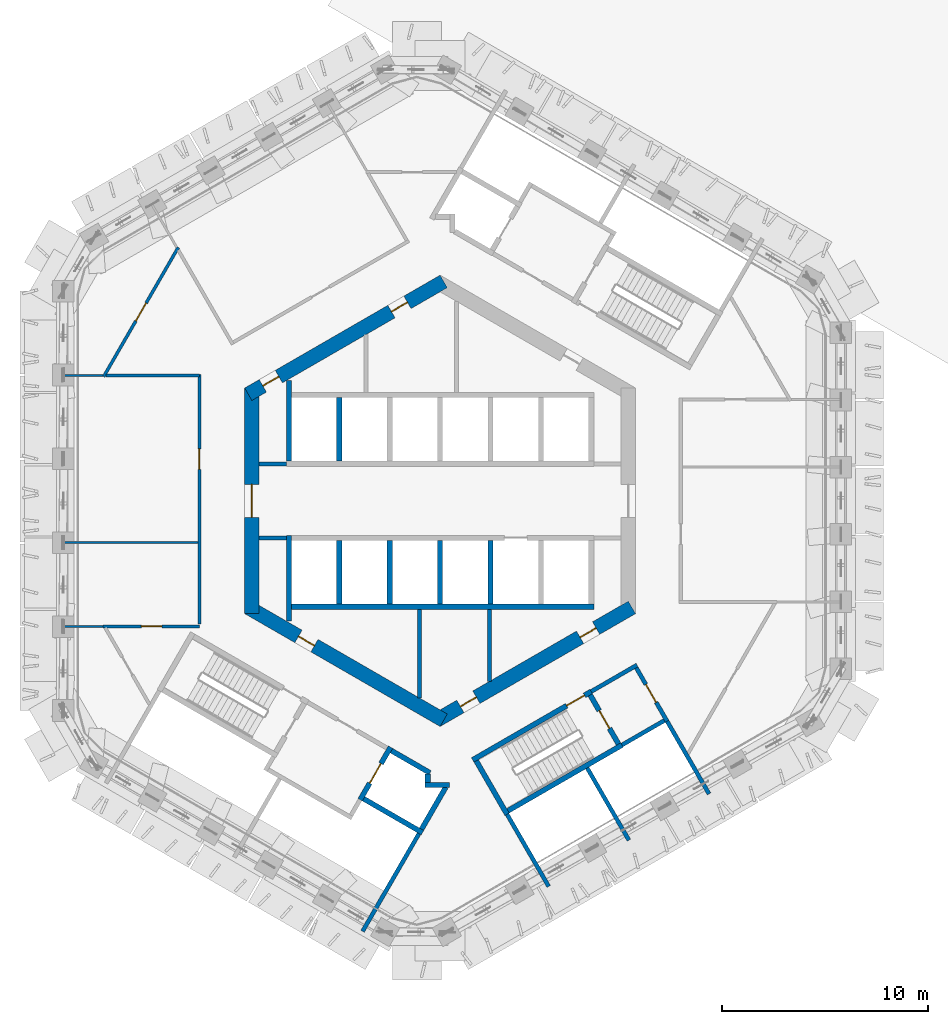
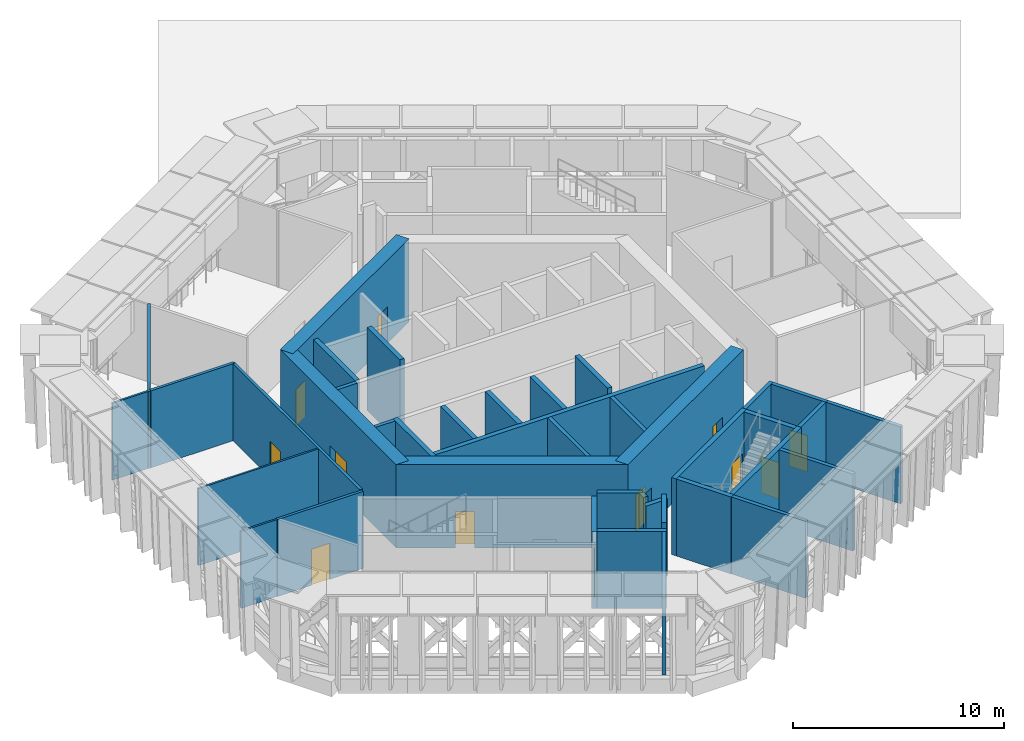
# One storey, part 7 of 18: 40 walls, 13 doors, 13 openings.
"""IFC4 building model written with IfcOpenShell, lengths in metres."""

from ifc_helpers import new_model, si_unit, direction, frame, frame_2d, origin, place, context, subcontext, project, spatial, rectangle, extrude, material, layer, layer_set, type_object, element, fill, save


model = new_model("IFC4")

# Units and contexts
model_context = context("Model", 3, precision=1e-05, world=origin(), true_north=direction((0.0, 1.0)))
body_context = subcontext(model_context, "Body", "Model", "MODEL_VIEW")
ifc_project = project(units=[si_unit("LENGTHUNIT", "METRE"), si_unit("AREAUNIT", "SQUARE_METRE"), si_unit("VOLUMEUNIT", "CUBIC_METRE"), si_unit("PLANEANGLEUNIT", "RADIAN"), si_unit("MASSUNIT", "GRAM", prefix="KILO")], contexts=[model_context])

# Site, building, storey
site_placement = place(None, origin())
site = spatial("IfcSite", under=ifc_project, at=site_placement, CompositionType="ELEMENT")
building_placement = place(site_placement, origin())
building = spatial("IfcBuilding", under=site, at=building_placement, Name="Ayvan Gate Tower", CompositionType="ELEMENT")
storey_placement = place(building_placement, frame((0.0, 0.0, 147.89990234375)))
storey = spatial("IfcBuildingStorey", under=building, at=storey_placement, Name="L39", CompositionType="ELEMENT", Elevation=147.89990234375)

# Wall, openings, doors
ifc_material_1 = material(Name="Concrete C70/85", Category="concrete")
ifc_layer_1 = layer(ifc_material_1, 0.699951171875)
ifc_layer_set_1 = layer_set([ifc_layer_1], Name="Concrete C70/85")
wall_type_1 = type_object("IfcWallType", Name="Core wall 700 C70/85", PredefinedType="SHEAR", material=ifc_layer_set_1)
wall_1_placement = place(storey_placement, frame((0.175048828125, 10.66650390625, 0.0), z_axis=(0.0, 0.0, 1.0), x_axis=(-0.866023993627, -0.500002442456, 0.0)))
wall_1 = element("IfcWall", 1, at=wall_1_placement, inside=storey, type_object=wall_type_1, Name="CORE-L39-2", PredefinedType="SHEAR", context=body_context, shape_type="SweptSolid", body=[
    extrude(rectangle(XDim=10.9697265625, YDim=0.699951171875, at=frame_2d((5.48486328125, 0.0))), origin(), (0.0, 0.0, 1.0), 4.800048828125),
])
opening_1_placement = place(wall_1_placement, frame((9.253662109375, 0.0, 0.0)))
opening_1 = element("IfcOpeningElement", 2, at=opening_1_placement, cuts=wall_1, Name="Opening L39-D23", PredefinedType="OPENING", context=body_context, shape_type="SweptSolid", body=[
    extrude(rectangle(XDim=0.89990234375, YDim=2.10009765625, at=frame_2d((0.449951171875, 1.050048828125))), frame((0.0, 0.35986328125, 0.0), z_axis=(0.0, -1.0, 0.0), x_axis=(1.0, 0.0, 0.0)), (0.0, 0.0, 1.0), 0.719970703125),
])
opening_2_placement = place(wall_1_placement, frame((2.033203125, 0.0, 0.0)))
opening_2 = element("IfcOpeningElement", 3, at=opening_2_placement, cuts=wall_1, Name="Opening L39-D24", PredefinedType="OPENING", context=body_context, shape_type="SweptSolid", body=[
    extrude(rectangle(XDim=0.89990234375, YDim=2.10009765625, at=frame_2d((0.449951171875, 1.050048828125))), frame((0.0, 0.35986328125, 0.0), z_axis=(0.0, -1.0, 0.0), x_axis=(1.0, 0.0, 0.0)), (0.0, 0.0, 1.0), 0.719970703125),
])
ifc_material_2 = material(Name="Timber door leaf", Category="wood")
door_type_1 = type_object("IfcDoorType", Name="DT-900", OperationType="NOTDEFINED", PredefinedType="DOOR", material=ifc_material_2)
door_1_placement = place(opening_1_placement, origin())
door_1 = element("IfcDoor", 4, at=door_1_placement, inside=storey, type_object=door_type_1, Name="CD-L39-23", OperationType="SINGLE_SWING_RIGHT", OverallHeight=2.10009765625, OverallWidth=0.89990234375, PredefinedType="DOOR", context=body_context, shape_type="SweptSolid", body=[
    extrude(rectangle(XDim=0.89990234375, YDim=2.10009765625, at=frame_2d((0.449951171875, 1.050048828125))), frame((0.0, 0.02490234375, 0.0), z_axis=(0.0, -1.0, 0.0), x_axis=(1.0, 0.0, 0.0)), (0.0, 0.0, 1.0), 0.050048828125),
])
fill(opening_1, door_1)
door_2_placement = place(opening_2_placement, origin())
door_2 = element("IfcDoor", 5, at=door_2_placement, inside=storey, type_object=door_type_1, Name="CD-L39-24", OperationType="SINGLE_SWING_LEFT", OverallHeight=2.10009765625, OverallWidth=0.89990234375, PredefinedType="DOOR", context=body_context, shape_type="SweptSolid", body=[
    extrude(rectangle(XDim=0.89990234375, YDim=2.10009765625, at=frame_2d((0.449951171875, 1.050048828125))), frame((0.0, 0.02490234375, 0.0), z_axis=(0.0, -1.0, 0.0), x_axis=(1.0, 0.0, 0.0)), (0.0, 0.0, 1.0), 0.050048828125),
])
fill(opening_2, door_2)

# Wall, opening, door
wall_2_placement = place(storey_placement, frame((-9.14990234375, 5.48486328125, 0.0), z_axis=(0.0, 0.0, 1.0), x_axis=(0.0, -1.0, 0.0)))
wall_2 = element("IfcWall", 6, at=wall_2_placement, inside=storey, type_object=wall_type_1, Name="CORE-L39-3", PredefinedType="SHEAR", context=body_context, shape_type="SweptSolid", body=[
    extrude(rectangle(XDim=10.9697265625, YDim=0.699951171875, at=frame_2d((5.48486328125, 0.0))), origin(), (0.0, 0.0, 1.0), 4.800048828125),
])
opening_3_placement = place(wall_2_placement, frame((4.684814453125, 0.0, 0.0)))
opening_3 = element("IfcOpeningElement", 7, at=opening_3_placement, cuts=wall_2, Name="Opening L39-D30", PredefinedType="OPENING", context=body_context, shape_type="SweptSolid", body=[
    extrude(rectangle(XDim=1.60009765625, YDim=2.10009765625, at=frame_2d((0.800048828125, 1.050048828125))), frame((0.0, 0.35986328125, 0.0), z_axis=(0.0, -1.0, 0.0), x_axis=(1.0, 0.0, 0.0)), (0.0, 0.0, 1.0), 0.719970703125),
])
door_type_2 = type_object("IfcDoorType", Name="DT-1600", OperationType="NOTDEFINED", PredefinedType="DOOR", material=ifc_material_2)
door_3_placement = place(opening_3_placement, origin())
door_3 = element("IfcDoor", 8, at=door_3_placement, inside=storey, type_object=door_type_2, Name="CD-L39-30", OperationType="SINGLE_SWING_LEFT", OverallHeight=2.10009765625, OverallWidth=1.60009765625, PredefinedType="DOOR", context=body_context, shape_type="SweptSolid", body=[
    extrude(rectangle(XDim=1.60009765625, YDim=2.10009765625, at=frame_2d((0.800048828125, 1.050048828125))), frame((0.0, 0.02490234375, 0.0), z_axis=(0.0, -1.0, 0.0), x_axis=(1.0, 0.0, 0.0)), (0.0, 0.0, 1.0), 0.050048828125),
])
fill(opening_3, door_3)

wall_3_placement = place(storey_placement, frame((-9.324951171875, -5.181640625, 0.0), z_axis=(0.0, 0.0, 1.0), x_axis=(0.866023993627, -0.500002442456, 0.0)))
wall_3 = element("IfcWall", 9, at=wall_3_placement, inside=storey, type_object=wall_type_1, Name="CORE-L39-4", PredefinedType="SHEAR", context=body_context, shape_type="SweptSolid", body=[
    extrude(rectangle(XDim=10.9697265625, YDim=0.699951171875, at=frame_2d((5.48486328125, 0.0))), origin(), (0.0, 0.0, 1.0), 4.800048828125),
])
opening_4_placement = place(wall_3_placement, frame((2.816650390625, 0.0, 0.0)))
opening_4 = element("IfcOpeningElement", 10, at=opening_4_placement, cuts=wall_3, Name="Opening L39-D26", PredefinedType="OPENING", context=body_context, shape_type="SweptSolid", body=[
    extrude(rectangle(XDim=0.89990234375, YDim=2.10009765625, at=frame_2d((0.449951171875, 1.050048828125))), frame((0.0, 0.35986328125, 0.0), z_axis=(0.0, -1.0, 0.0), x_axis=(1.0, 0.0, 0.0)), (0.0, 0.0, 1.0), 0.719970703125),
])
door_4_placement = place(opening_4_placement, origin())
door_4 = element("IfcDoor", 11, at=door_4_placement, inside=storey, type_object=door_type_1, Name="CD-L39-26", OperationType="SINGLE_SWING_LEFT", OverallHeight=2.10009765625, OverallWidth=0.89990234375, PredefinedType="DOOR", context=body_context, shape_type="SweptSolid", body=[
    extrude(rectangle(XDim=0.89990234375, YDim=2.10009765625, at=frame_2d((0.449951171875, 1.050048828125))), frame((0.0, 0.02490234375, 0.0), z_axis=(0.0, -1.0, 0.0), x_axis=(1.0, 0.0, 0.0)), (0.0, 0.0, 1.0), 0.050048828125),
])
fill(opening_4, door_4)

# Wall, openings, doors
wall_4_placement = place(storey_placement, frame((-0.175048828125, -10.66650390625, 0.0), z_axis=(0.0, 0.0, 1.0), x_axis=(0.866023993627, 0.500002442456, 0.0)))
wall_4 = element("IfcWall", 12, at=wall_4_placement, inside=storey, type_object=wall_type_1, Name="CORE-L39-5", PredefinedType="SHEAR", context=body_context, shape_type="SweptSolid", body=[
    extrude(rectangle(XDim=10.9697265625, YDim=0.699951171875, at=frame_2d((5.48486328125, 0.0))), origin(), (0.0, 0.0, 1.0), 4.800048828125),
])
opening_5_placement = place(wall_4_placement, frame((1.34033203125, 0.0, 0.0)))
opening_5 = element("IfcOpeningElement", 13, at=opening_5_placement, cuts=wall_4, Name="Opening L39-D27", PredefinedType="OPENING", context=body_context, shape_type="SweptSolid", body=[
    extrude(rectangle(XDim=0.89990234375, YDim=2.10009765625, at=frame_2d((0.449951171875, 1.050048828125))), frame((0.0, 0.35986328125, 0.0), z_axis=(0.0, -1.0, 0.0), x_axis=(1.0, 0.0, 0.0)), (0.0, 0.0, 1.0), 0.719970703125),
])
opening_6_placement = place(wall_4_placement, frame((8.060791015625, 0.0, 0.0)))
opening_6 = element("IfcOpeningElement", 14, at=opening_6_placement, cuts=wall_4, Name="Opening L39-D28", PredefinedType="OPENING", context=body_context, shape_type="SweptSolid", body=[
    extrude(rectangle(XDim=0.89990234375, YDim=2.10009765625, at=frame_2d((0.449951171875, 1.050048828125))), frame((0.0, 0.35986328125, 0.0), z_axis=(0.0, -1.0, 0.0), x_axis=(1.0, 0.0, 0.0)), (0.0, 0.0, 1.0), 0.719970703125),
])
door_5_placement = place(opening_5_placement, origin())
door_5 = element("IfcDoor", 15, at=door_5_placement, inside=storey, type_object=door_type_1, Name="CD-L39-27", OperationType="SINGLE_SWING_RIGHT", OverallHeight=2.10009765625, OverallWidth=0.89990234375, PredefinedType="DOOR", context=body_context, shape_type="SweptSolid", body=[
    extrude(rectangle(XDim=0.89990234375, YDim=2.10009765625, at=frame_2d((0.449951171875, 1.050048828125))), frame((0.0, 0.02490234375, 0.0), z_axis=(0.0, -1.0, 0.0), x_axis=(1.0, 0.0, 0.0)), (0.0, 0.0, 1.0), 0.050048828125),
])
fill(opening_5, door_5)
door_6_placement = place(opening_6_placement, origin())
door_6 = element("IfcDoor", 16, at=door_6_placement, inside=storey, type_object=door_type_1, Name="CD-L39-28", OperationType="SINGLE_SWING_LEFT", OverallHeight=2.10009765625, OverallWidth=0.89990234375, PredefinedType="DOOR", context=body_context, shape_type="SweptSolid", body=[
    extrude(rectangle(XDim=0.89990234375, YDim=2.10009765625, at=frame_2d((0.449951171875, 1.050048828125))), frame((0.0, 0.02490234375, 0.0), z_axis=(0.0, -1.0, 0.0), x_axis=(1.0, 0.0, 0.0)), (0.0, 0.0, 1.0), 0.050048828125),
])
fill(opening_6, door_6)

# Wall, opening, door
ifc_material_3 = material(Name="Plasterboard on steel stud", Category="steel")
ifc_layer_2 = layer(ifc_material_3, 0.14990234375)
ifc_layer_set_2 = layer_set([ifc_layer_2], Name="Plasterboard on steel stud")
wall_type_2 = type_object("IfcWallType", Name="WT-CORR-150", PredefinedType="PARTITIONING", material=ifc_layer_set_2)
wall_5_placement = place(storey_placement, frame((-16.355224609375, 6.03759765625, 0.0), z_axis=(0.0, 0.0, 1.0), x_axis=(0.499982673273, 0.866035407144, 0.0)))
wall_5 = element("IfcWall", 17, at=wall_5_placement, inside=storey, type_object=wall_type_2, Name="IW-L39-002", PredefinedType="PARTITIONING", context=body_context, shape_type="SweptSolid", body=[
    extrude(rectangle(XDim=7.255126953125, YDim=0.14990234375, at=frame_2d((3.62744140625, 0.0))), origin(), (0.0, 0.0, 1.0), 4.4501953125),
])
opening_7_placement = place(wall_5_placement, frame((3.12744140625, 0.0, 0.0)))
opening_7 = element("IfcOpeningElement", 18, at=opening_7_placement, cuts=wall_5, Name="Opening L39-D19", PredefinedType="OPENING", context=body_context, shape_type="SweptSolid", body=[
    extrude(rectangle(XDim=1.0, YDim=2.10009765625, at=frame_2d((0.5, 1.050048828125))), frame((0.0, 0.0849609375, 0.0), z_axis=(0.0, -1.0, 0.0), x_axis=(1.0, 0.0, 0.0)), (0.0, 0.0, 1.0), 0.169921875),
])
door_type_3 = type_object("IfcDoorType", Name="DT-1000", OperationType="NOTDEFINED", PredefinedType="DOOR", material=ifc_material_2)
door_7_placement = place(opening_7_placement, origin())
door_7 = element("IfcDoor", 19, at=door_7_placement, inside=storey, type_object=door_type_3, Name="ID-L39-019", OperationType="SINGLE_SWING_RIGHT", OverallHeight=2.10009765625, OverallWidth=1.0, PredefinedType="DOOR", context=body_context, shape_type="SweptSolid", body=[
    extrude(rectangle(XDim=1.0, YDim=2.10009765625, at=frame_2d((0.5, 1.050048828125))), frame((0.0, 0.02490234375, 0.0), z_axis=(0.0, -1.0, 0.0), x_axis=(1.0, 0.0, 0.0)), (0.0, 0.0, 1.0), 0.050048828125),
])
fill(opening_7, door_7)

wall_6_placement = place(storey_placement, frame((-16.392578125, -6.1025390625, 0.0), z_axis=(0.0, 0.0, 1.0), x_axis=(1.0, 0.0, 0.0)))
wall_6 = element("IfcWall", 20, at=wall_6_placement, inside=storey, type_object=wall_type_2, Name="IW-L39-003", PredefinedType="PARTITIONING", context=body_context, shape_type="SweptSolid", body=[
    extrude(rectangle(XDim=4.697509765625, YDim=0.14990234375, at=frame_2d((2.3486328125, 0.0))), origin(), (0.0, 0.0, 1.0), 4.4501953125),
])
opening_8_placement = place(wall_6_placement, frame((1.8662109375, 0.0, 0.0)))
opening_8 = element("IfcOpeningElement", 21, at=opening_8_placement, cuts=wall_6, Name="Opening L39-D22", PredefinedType="OPENING", context=body_context, shape_type="SweptSolid", body=[
    extrude(rectangle(XDim=1.0, YDim=2.10009765625, at=frame_2d((0.5, 1.050048828125))), frame((0.0, 0.0849609375, 0.0), z_axis=(0.0, -1.0, 0.0), x_axis=(1.0, 0.0, 0.0)), (0.0, 0.0, 1.0), 0.169921875),
])
door_8_placement = place(opening_8_placement, origin())
door_8 = element("IfcDoor", 22, at=door_8_placement, inside=storey, type_object=door_type_3, Name="ID-L39-022", OperationType="SINGLE_SWING_LEFT", OverallHeight=2.10009765625, OverallWidth=1.0, PredefinedType="DOOR", context=body_context, shape_type="SweptSolid", body=[
    extrude(rectangle(XDim=1.0, YDim=2.10009765625, at=frame_2d((0.5, 1.050048828125))), frame((0.0, 0.02490234375, 0.0), z_axis=(0.0, -1.0, 0.0), x_axis=(1.0, 0.0, 0.0)), (0.0, 0.0, 1.0), 0.050048828125),
])
fill(opening_8, door_8)

# Wall
wall_7_placement = place(storey_placement, frame((-11.695068359375, 6.1025390625, 0.0), z_axis=(0.0, 0.0, 1.0), x_axis=(-1.0, 0.0, 0.0)))
element("IfcWall", 23, at=wall_7_placement, inside=storey, type_object=wall_type_2, Name="IW-L39-010", PredefinedType="PARTITIONING", context=body_context, shape_type="SweptSolid", body=[
    extrude(rectangle(XDim=4.547607421875, YDim=0.14990234375, at=frame_2d((2.27392578125, 0.0))), origin(), (0.0, 0.0, 1.0), 4.4501953125),
])

# Wall, opening, door
wall_8_placement = place(storey_placement, frame((-11.699951171875, 6.13720703125, 0.0), z_axis=(0.0, 0.0, 1.0), x_axis=(0.0, -1.0, 0.0)))
wall_8 = element("IfcWall", 24, at=wall_8_placement, inside=storey, type_object=wall_type_2, Name="IW-L39-012", PredefinedType="PARTITIONING", context=body_context, shape_type="SweptSolid", body=[
    extrude(rectangle(XDim=12.12451171875, YDim=0.14990234375, at=frame_2d((6.062255859375, 0.0))), origin(), (0.0, 0.0, 1.0), 4.4501953125),
])
opening_9_placement = place(wall_8_placement, frame((3.608154296875, 0.0, 0.0)))
opening_9 = element("IfcOpeningElement", 25, at=opening_9_placement, cuts=wall_8, Name="Opening L39-D21", PredefinedType="OPENING", context=body_context, shape_type="SweptSolid", body=[
    extrude(rectangle(XDim=1.0, YDim=2.10009765625, at=frame_2d((0.5, 1.050048828125))), frame((0.0, 0.0849609375, 0.0), z_axis=(0.0, -1.0, 0.0), x_axis=(1.0, 0.0, 0.0)), (0.0, 0.0, 1.0), 0.169921875),
])
door_9_placement = place(opening_9_placement, origin())
door_9 = element("IfcDoor", 26, at=door_9_placement, inside=storey, type_object=door_type_3, Name="ID-L39-021", OperationType="SINGLE_SWING_RIGHT", OverallHeight=2.10009765625, OverallWidth=1.0, PredefinedType="DOOR", context=body_context, shape_type="SweptSolid", body=[
    extrude(rectangle(XDim=1.0, YDim=2.10009765625, at=frame_2d((0.5, 1.050048828125))), frame((0.0, 0.02490234375, 0.0), z_axis=(0.0, -1.0, 0.0), x_axis=(1.0, 0.0, 0.0)), (0.0, 0.0, 1.0), 0.050048828125),
])
fill(opening_9, door_9)

# Walls
ifc_layer_3 = layer(ifc_material_3, 0.10009765625)
ifc_layer_set_3 = layer_set([ifc_layer_3], Name="Plasterboard on steel stud")
wall_type_3 = type_object("IfcWallType", Name="WT-PART-100", PredefinedType="PARTITIONING", material=ifc_layer_set_3)
for number, where, z_axis, x_axis, name in (
    (27, (-18.3544921875, -6.1025390625, 0.0), (0.0, 0.0, 1.0), (1.0, 0.0, 0.0), "IW-L39-000"),
    (28, (-16.392578125, 6.1025390625, 0.0), (0.0, 0.0, 1.0), (-1.0, 0.0, 0.0), "IW-L39-001"),
):
    element("IfcWall", number, at=place(storey_placement, frame(where, z_axis=z_axis, x_axis=x_axis)), inside=storey, type_object=wall_type_3, Name=name, PredefinedType="PARTITIONING", context=body_context, shape_type="SweptSolid", body=[
        extrude(rectangle(XDim=1.9619140625, YDim=0.10009765625, at=frame_2d((0.98095703125, 0.0))), origin(), (0.0, 0.0, 1.0), 4.4501953125),
    ])
wall_9_placement = place(storey_placement, frame((-11.77490234375, -2.0341796875, 0.0), z_axis=(0.0, 0.0, 1.0), x_axis=(-1.0, 0.0, 0.0)))
element("IfcWall", 29, at=wall_9_placement, inside=storey, type_object=wall_type_3, Name="IW-L39-013", PredefinedType="PARTITIONING", context=body_context, shape_type="SweptSolid", body=[
    extrude(rectangle(XDim=6.57958984375, YDim=0.10009765625, at=frame_2d((3.289794921875, 0.0))), origin(), (0.0, 0.0, 1.0), 4.4501953125),
])
ifc_layer_4 = layer(ifc_material_3, 0.199951171875)
ifc_layer_set_4 = layer_set([ifc_layer_4], Name="Plasterboard on steel stud")
wall_type_4 = type_object("IfcWallType", Name="WT-PLUMB-200", PredefinedType="PLUMBINGWALL", material=ifc_layer_set_4)
wall_10_placement = place(storey_placement, frame((-1.027099609375, -16.178955078125, 0.0), z_axis=(0.0, 0.0, 1.0), x_axis=(-0.499980760091, -0.866036511666, 0.0)))
element("IfcWall", 30, at=wall_10_placement, inside=storey, type_object=wall_type_4, Name="IW-L39-043", PredefinedType="PLUMBINGWALL", context=body_context, shape_type="SweptSolid", body=[
    extrude(rectangle(XDim=5.481689453125, YDim=0.199951171875, at=frame_2d((2.74072265625, 0.0))), origin(), (0.0, 0.0, 1.0), 4.4501953125),
])
for number, where, z_axis, x_axis, name in (
    (31, (5.28076171875, -18.74658203125, 0.0), (0.0, 0.0, 1.0), (-0.499983333749, 0.866035025835, 0.0), "IW-L39-066"),
    (32, (7.152587890625, -12.98876953125, 0.0), (0.0, 0.0, 1.0), (0.500028539159, -0.866008926066, 0.0), "IW-L39-069"),
):
    element("IfcWall", number, at=place(storey_placement, frame(where, z_axis=z_axis, x_axis=x_axis)), inside=storey, type_object=wall_type_4, Name=name, PredefinedType="PLUMBINGWALL", context=body_context, shape_type="SweptSolid", body=[
        extrude(rectangle(XDim=4.050537109375, YDim=0.199951171875, at=frame_2d((2.025390625, 0.0))), origin(), (0.0, 0.0, 1.0), 4.4501953125),
    ])
wall_11_placement = place(storey_placement, frame((11.037353515625, -10.71728515625, 0.0), z_axis=(0.0, 0.0, 1.0), x_axis=(0.499992114976, -0.866029956157, 0.0)))
element("IfcWall", 33, at=wall_11_placement, inside=storey, type_object=wall_type_4, Name="IW-L39-081", PredefinedType="PLUMBINGWALL", context=body_context, shape_type="SweptSolid", body=[
    extrude(rectangle(XDim=4.0751953125, YDim=0.199951171875, at=frame_2d((2.03759765625, 0.0))), origin(), (0.0, 0.0, 1.0), 4.4501953125),
])
wall_12_placement = place(storey_placement, frame((10.900634765625, -10.6806640625, 0.0), z_axis=(0.0, 0.0, 1.0), x_axis=(-0.866007538022, -0.500030943131, 0.0)))
element("IfcWall", 34, at=wall_12_placement, inside=storey, type_object=wall_type_4, Name="IW-L39-082", PredefinedType="PLUMBINGWALL", context=body_context, shape_type="SweptSolid", body=[
    extrude(rectangle(XDim=2.374755859375, YDim=0.199951171875, at=frame_2d((1.1875, 0.0))), origin(), (0.0, 0.0, 1.0), 4.4501953125),
])
ifc_layer_5 = layer(ifc_material_3, 0.199951171875)
ifc_layer_set_5 = layer_set([ifc_layer_5], Name="Plasterboard on steel stud")
wall_type_5 = type_object("IfcWallType", Name="WT-RATED-200", PredefinedType="PARTITIONING", material=ifc_layer_set_5)
for number, where, z_axis, x_axis, name in (
    (35, (-8.800048828125, 1.800048828125, 0.0), (0.0, 0.0, 1.0), (1.0, 0.0, 0.0), "IW-L39-016"),
    (36, (-7.474853515625, -1.800048828125, 0.0), (0.0, 0.0, 1.0), (-1.0, 0.0, 0.0), "IW-L39-025"),
):
    element("IfcWall", number, at=place(storey_placement, frame(where, z_axis=z_axis, x_axis=x_axis)), inside=storey, type_object=wall_type_5, Name=name, PredefinedType="PARTITIONING", context=body_context, shape_type="SweptSolid", body=[
        extrude(rectangle(XDim=1.3251953125, YDim=0.199951171875, at=frame_2d((0.66259765625, 0.0))), origin(), (0.0, 0.0, 1.0), 4.4501953125),
    ])
wall_13_placement = place(storey_placement, frame((-1.0, -5.27490234375, 0.0), z_axis=(0.0, 0.0, 1.0), x_axis=(0.0, -1.0, 0.0)))
element("IfcWall", 37, at=wall_13_placement, inside=storey, type_object=wall_type_5, Name="IW-L39-041", PredefinedType="PARTITIONING", context=body_context, shape_type="SweptSolid", body=[
    extrude(rectangle(XDim=4.30908203125, YDim=0.199951171875, at=frame_2d((2.154541015625, 0.0))), origin(), (0.0, 0.0, 1.0), 4.4501953125),
])
wall_14_placement = place(storey_placement, frame((2.39990234375, -5.27490234375, 0.0), z_axis=(0.0, 0.0, 1.0), x_axis=(0.0, -1.0, 0.0)))
element("IfcWall", 38, at=wall_14_placement, inside=storey, type_object=wall_type_5, Name="IW-L39-056", PredefinedType="PARTITIONING", context=body_context, shape_type="SweptSolid", body=[
    extrude(rectangle(XDim=3.500732421875, YDim=0.199951171875, at=frame_2d((1.75048828125, 0.0))), origin(), (0.0, 0.0, 1.0), 4.4501953125),
])
wall_15_placement = place(storey_placement, frame((7.343994140625, -9.27001953125, 0.0), z_axis=(0.0, 0.0, 1.0), x_axis=(0.866005588531, 0.500034319456, 0.0)))
element("IfcWall", 39, at=wall_15_placement, inside=storey, type_object=wall_type_5, Name="IW-L39-072", PredefinedType="PARTITIONING", context=body_context, shape_type="SweptSolid", body=[
    extrude(rectangle(XDim=2.574951171875, YDim=0.199951171875, at=frame_2d((1.28759765625, 0.0))), origin(), (0.0, 0.0, 1.0), 4.4501953125),
])

# Wall, opening, door
wall_16_placement = place(storey_placement, frame((9.537353515625, -8.119140625, 0.0), z_axis=(0.0, 0.0, 1.0), x_axis=(0.499990139034, -0.866031096941, 0.0)))
wall_16 = element("IfcWall", 40, at=wall_16_placement, inside=storey, type_object=wall_type_5, Name="IW-L39-080", PredefinedType="PARTITIONING", context=body_context, shape_type="SweptSolid", body=[
    extrude(rectangle(XDim=3.0, YDim=0.199951171875, at=frame_2d((1.5, 0.0))), origin(), (0.0, 0.0, 1.0), 4.4501953125),
])
opening_10_placement = place(wall_16_placement, frame((0.93505859375, 0.0, 0.0)))
opening_10 = element("IfcOpeningElement", 41, at=opening_10_placement, cuts=wall_16, Name="Opening L39-D11", PredefinedType="OPENING", context=body_context, shape_type="SweptSolid", body=[
    extrude(rectangle(XDim=1.0, YDim=2.10009765625, at=frame_2d((0.5, 1.050048828125))), frame((0.0, 0.10986328125, 0.0), z_axis=(0.0, -1.0, 0.0), x_axis=(1.0, 0.0, 0.0)), (0.0, 0.0, 1.0), 0.219970703125),
])
door_10_placement = place(opening_10_placement, origin())
door_10 = element("IfcDoor", 42, at=door_10_placement, inside=storey, type_object=door_type_3, Name="ID-L39-011", OperationType="SINGLE_SWING_RIGHT", OverallHeight=2.10009765625, OverallWidth=1.0, PredefinedType="DOOR", context=body_context, shape_type="SweptSolid", body=[
    extrude(rectangle(XDim=1.0, YDim=2.10009765625, at=frame_2d((0.5, 1.050048828125))), frame((0.0, 0.02490234375, 0.0), z_axis=(0.0, -1.0, 0.0), x_axis=(1.0, 0.0, 0.0)), (0.0, 0.0, 1.0), 0.050048828125),
])
fill(opening_10, door_10)

# Walls
ifc_material_4 = material(Name="Concrete C50/60", Category="concrete")
ifc_layer_6 = layer(ifc_material_4, 0.25)
ifc_layer_set_6 = layer_set([ifc_layer_6], Name="Concrete C50/60")
wall_type_6 = type_object("IfcWallType", Name="WT-RC-250", PredefinedType="SHEAR", material=ifc_layer_set_6)
wall_17_placement = place(storey_placement, frame((-7.35009765625, -5.845703125, 0.0), z_axis=(0.0, 0.0, 1.0), x_axis=(0.0, 1.0, 0.0)))
element("IfcWall", 43, at=wall_17_placement, inside=storey, type_object=wall_type_6, Name="IW-L39-022", PredefinedType="SHEAR", context=body_context, shape_type="SweptSolid", body=[
    extrude(rectangle(XDim=4.170654296875, YDim=0.25, at=frame_2d((2.08544921875, 0.0))), origin(), (0.0, 0.0, 1.0), 4.4501953125),
])
wall_18_placement = place(storey_placement, frame((-7.35009765625, 1.925048828125, 0.0), z_axis=(0.0, 0.0, 1.0), x_axis=(0.0, 1.0, 0.0)))
element("IfcWall", 44, at=wall_18_placement, inside=storey, type_object=wall_type_6, Name="IW-L39-023", PredefinedType="SHEAR", context=body_context, shape_type="SweptSolid", body=[
    extrude(rectangle(XDim=3.920654296875, YDim=0.25, at=frame_2d((1.96044921875, 0.0))), origin(), (0.0, 0.0, 1.0), 4.4501953125),
])
wall_19_placement = place(storey_placement, frame((-7.22509765625, -5.14990234375, 0.0), z_axis=(0.0, 0.0, 1.0), x_axis=(1.0, 0.0, 0.0)))
element("IfcWall", 45, at=wall_19_placement, inside=storey, type_object=wall_type_6, Name="IW-L39-029", PredefinedType="SHEAR", context=body_context, shape_type="SweptSolid", body=[
    extrude(rectangle(XDim=14.7001953125, YDim=0.25, at=frame_2d((7.35009765625, 0.0))), origin(), (0.0, 0.0, 1.0), 4.4501953125),
])
wall_20_placement = place(storey_placement, frame((-4.89990234375, -1.925048828125, 0.0), z_axis=(0.0, 0.0, 1.0), x_axis=(0.0, -1.0, 0.0)))
element("IfcWall", 46, at=wall_20_placement, inside=storey, type_object=wall_type_6, Name="IW-L39-030", PredefinedType="SHEAR", context=body_context, shape_type="SweptSolid", body=[
    extrude(rectangle(XDim=3.099853515625, YDim=0.25, at=frame_2d((1.5498046875, 0.0))), origin(), (0.0, 0.0, 1.0), 4.4501953125),
])
wall_21_placement = place(storey_placement, frame((-4.89990234375, 5.02490234375, 0.0), z_axis=(0.0, 0.0, 1.0), x_axis=(0.0, -1.0, 0.0)))
element("IfcWall", 47, at=wall_21_placement, inside=storey, type_object=wall_type_6, Name="IW-L39-031", PredefinedType="SHEAR", context=body_context, shape_type="SweptSolid", body=[
    extrude(rectangle(XDim=3.099853515625, YDim=0.25, at=frame_2d((1.5498046875, 0.0))), origin(), (0.0, 0.0, 1.0), 4.800048828125),
])

# Wall, opening, door
wall_22_placement = place(storey_placement, frame((-2.409912109375, -11.97412109375, 0.0), z_axis=(0.0, 0.0, 1.0), x_axis=(-0.500001826776, -0.866024349092, 0.0)))
wall_22 = element("IfcWall", 48, at=wall_22_placement, inside=storey, type_object=wall_type_6, Name="IW-L39-036", PredefinedType="SHEAR", context=body_context, shape_type="SweptSolid", body=[
    extrude(rectangle(XDim=2.9501953125, YDim=0.25, at=frame_2d((1.47509765625, 0.0))), origin(), (0.0, 0.0, 1.0), 4.4501953125),
])
opening_11_placement = place(wall_22_placement, frame((0.925048828125, 0.0, 0.0)))
opening_11 = element("IfcOpeningElement", 49, at=opening_11_placement, cuts=wall_22, Name="Opening L39-LD-FF2", PredefinedType="OPENING", context=body_context, shape_type="SweptSolid", body=[
    extrude(rectangle(XDim=1.10009765625, YDim=2.10009765625, at=frame_2d((0.550048828125, 1.050048828125))), frame((0.0, 0.135009765625, 0.0), z_axis=(0.0, -1.0, 0.0), x_axis=(1.0, 0.0, 0.0)), (0.0, 0.0, 1.0), 0.27001953125),
])
ifc_material_5 = material(Name="Stainless steel landing door", Category="steel")
door_type_4 = type_object("IfcDoorType", Name="DT-LANDING-1100", OperationType="SLIDING_TO_LEFT", PredefinedType="DOOR", material=ifc_material_5)
door_11_placement = place(opening_11_placement, origin())
door_11 = element("IfcDoor", 50, at=door_11_placement, inside=storey, type_object=door_type_4, Name="ID-L39-009", OperationType="SLIDING_TO_LEFT", OverallHeight=2.10009765625, OverallWidth=1.10009765625, PredefinedType="DOOR", context=body_context, shape_type="SweptSolid", body=[
    extrude(rectangle(XDim=1.10009765625, YDim=2.10009765625, at=frame_2d((0.550048828125, 1.050048828125))), frame((0.0, 0.02490234375, 0.0), z_axis=(0.0, -1.0, 0.0), x_axis=(1.0, 0.0, 0.0)), (0.0, 0.0, 1.0), 0.050048828125),
])
fill(opening_11, door_11)

# Walls
wall_23_placement = place(storey_placement, frame((-2.3642578125, -12.14501953125, 0.0), z_axis=(0.0, 0.0, 1.0), x_axis=(0.86603892542, -0.499976579108, 0.0)))
element("IfcWall", 51, at=wall_23_placement, inside=storey, type_object=wall_type_6, Name="IW-L39-037", PredefinedType="SHEAR", context=body_context, shape_type="SweptSolid", body=[
    extrude(rectangle(XDim=2.162109375, YDim=0.25, at=frame_2d((1.0810546875, 0.0))), origin(), (0.0, 0.0, 1.0), 4.800048828125),
])
wall_24_placement = place(storey_placement, frame((-2.449951171875, -1.925048828125, 0.0), z_axis=(0.0, 0.0, 1.0), x_axis=(0.0, -1.0, 0.0)))
element("IfcWall", 52, at=wall_24_placement, inside=storey, type_object=wall_type_6, Name="IW-L39-038", PredefinedType="SHEAR", context=body_context, shape_type="SweptSolid", body=[
    extrude(rectangle(XDim=3.099853515625, YDim=0.25, at=frame_2d((1.5498046875, 0.0))), origin(), (0.0, 0.0, 1.0), 4.4501953125),
])
wall_25_placement = place(storey_placement, frame((-0.8564453125, -16.13330078125, 0.0), z_axis=(0.0, 0.0, 1.0), x_axis=(-0.866021716278, 0.500006386895, 0.0)))
element("IfcWall", 53, at=wall_25_placement, inside=storey, type_object=wall_type_6, Name="IW-L39-042", PredefinedType="SHEAR", context=body_context, shape_type="SweptSolid", body=[
    extrude(rectangle(XDim=3.2998046875, YDim=0.25, at=frame_2d((1.64990234375, 0.0))), origin(), (0.0, 0.0, 1.0), 4.4501953125),
])
wall_26_placement = place(storey_placement, frame((-0.72509765625, -13.81005859375, 0.0), z_axis=(0.0, 0.0, 1.0), x_axis=(1.0, 0.0, 0.0)))
element("IfcWall", 54, at=wall_26_placement, inside=storey, type_object=wall_type_6, Name="IW-L39-044", PredefinedType="SHEAR", context=body_context, shape_type="SweptSolid", body=[
    extrude(rectangle(XDim=1.190673828125, YDim=0.25, at=frame_2d((0.59521484375, 0.0))), origin(), (0.0, 0.0, 1.0), 4.4501953125),
])
wall_27_placement = place(storey_placement, frame((-0.60009765625, -13.28857421875, 0.0), z_axis=(0.0, 0.0, 1.0), x_axis=(0.0, -1.0, 0.0)))
element("IfcWall", 55, at=wall_27_placement, inside=storey, type_object=wall_type_6, Name="IW-L39-045", PredefinedType="SHEAR", context=body_context, shape_type="SweptSolid", body=[
    extrude(rectangle(XDim=0.396484375, YDim=0.25, at=frame_2d((0.1982421875, 0.0))), origin(), (0.0, 0.0, 1.0), 4.800048828125),
])
wall_28_placement = place(storey_placement, frame((0.0, -1.925048828125, 0.0), z_axis=(0.0, 0.0, 1.0), x_axis=(0.0, -1.0, 0.0)))
element("IfcWall", 56, at=wall_28_placement, inside=storey, type_object=wall_type_6, Name="IW-L39-047", PredefinedType="SHEAR", context=body_context, shape_type="SweptSolid", body=[
    extrude(rectangle(XDim=3.099853515625, YDim=0.25, at=frame_2d((1.5498046875, 0.0))), origin(), (0.0, 0.0, 1.0), 4.4501953125),
])
wall_29_placement = place(storey_placement, frame((0.278076171875, -13.918212890625, 0.0), z_axis=(0.0, 0.0, 1.0), x_axis=(-0.49998806882, -0.866032292145, 0.0)))
element("IfcWall", 57, at=wall_29_placement, inside=storey, type_object=wall_type_6, Name="IW-L39-049", PredefinedType="SHEAR", context=body_context, shape_type="SweptSolid", body=[
    extrude(rectangle(XDim=2.3603515625, YDim=0.25, at=frame_2d((1.18017578125, 0.0))), origin(), (0.0, 0.0, 1.0), 4.800048828125),
])

# Wall, opening, door
wall_30_placement = place(storey_placement, frame((1.584716796875, -12.594970703125, 0.0), z_axis=(0.0, 0.0, 1.0), x_axis=(0.866036417653, 0.499980922934, 0.0)))
wall_30 = element("IfcWall", 58, at=wall_30_placement, inside=storey, type_object=wall_type_6, Name="IW-L39-055", PredefinedType="SHEAR", context=body_context, shape_type="SweptSolid", body=[
    extrude(rectangle(XDim=6.650146484375, YDim=0.25, at=frame_2d((3.3251953125, 0.0))), origin(), (0.0, 0.0, 1.0), 4.4501953125),
])
opening_12_placement = place(wall_30_placement, frame((5.27490234375, 0.0, 0.0)))
opening_12 = element("IfcOpeningElement", 59, at=opening_12_placement, cuts=wall_30, Name="Opening L39-D10", PredefinedType="OPENING", context=body_context, shape_type="SweptSolid", body=[
    extrude(rectangle(XDim=1.0, YDim=2.10009765625, at=frame_2d((0.5, 1.050048828125))), frame((0.0, 0.135009765625, 0.0), z_axis=(0.0, -1.0, 0.0), x_axis=(1.0, 0.0, 0.0)), (0.0, 0.0, 1.0), 0.27001953125),
])
door_12_placement = place(opening_12_placement, origin())
door_12 = element("IfcDoor", 60, at=door_12_placement, inside=storey, type_object=door_type_3, Name="ID-L39-010", OperationType="SINGLE_SWING_LEFT", OverallHeight=2.10009765625, OverallWidth=1.0, PredefinedType="DOOR", context=body_context, shape_type="SweptSolid", body=[
    extrude(rectangle(XDim=1.0, YDim=2.10009765625, at=frame_2d((0.5, 1.050048828125))), frame((0.0, 0.02490234375, 0.0), z_axis=(0.0, -1.0, 0.0), x_axis=(1.0, 0.0, 0.0)), (0.0, 0.0, 1.0), 0.050048828125),
])
fill(opening_12, door_12)

# Walls
wall_31_placement = place(storey_placement, frame((2.449951171875, -1.925048828125, 0.0), z_axis=(0.0, 0.0, 1.0), x_axis=(0.0, -1.0, 0.0)))
element("IfcWall", 61, at=wall_31_placement, inside=storey, type_object=wall_type_6, Name="IW-L39-057", PredefinedType="SHEAR", context=body_context, shape_type="SweptSolid", body=[
    extrude(rectangle(XDim=3.099853515625, YDim=0.25, at=frame_2d((1.5498046875, 0.0))), origin(), (0.0, 0.0, 1.0), 4.800048828125),
])
wall_32_placement = place(storey_placement, frame((3.255615234375, -15.23876953125, 0.0), z_axis=(0.0, 0.0, 1.0), x_axis=(-0.50002537861, 0.866010750942, 0.0)))
element("IfcWall", 62, at=wall_32_placement, inside=storey, type_object=wall_type_6, Name="IW-L39-061", PredefinedType="SHEAR", context=body_context, shape_type="SweptSolid", body=[
    extrude(rectangle(XDim=2.999755859375, YDim=0.25, at=frame_2d((1.5, 0.0))), origin(), (0.0, 0.0, 1.0), 4.4501953125),
])
wall_33_placement = place(storey_placement, frame((3.30126953125, -15.068115234375, 0.0), z_axis=(0.0, 0.0, 1.0), x_axis=(0.866035036182, 0.499983315828, 0.0)))
element("IfcWall", 63, at=wall_33_placement, inside=storey, type_object=wall_type_6, Name="IW-L39-070", PredefinedType="SHEAR", context=body_context, shape_type="SweptSolid", body=[
    extrude(rectangle(XDim=6.400146484375, YDim=0.25, at=frame_2d((3.2001953125, 0.0))), origin(), (0.0, 0.0, 1.0), 4.4501953125),
])

# Wall, opening, door
wall_34_placement = place(storey_placement, frame((7.298095703125, -9.44091796875, 0.0), z_axis=(0.0, 0.0, 1.0), x_axis=(0.500034990121, -0.866005201286, 0.0)))
wall_34 = element("IfcWall", 64, at=wall_34_placement, inside=storey, type_object=wall_type_6, Name="IW-L39-071", PredefinedType="SHEAR", context=body_context, shape_type="SweptSolid", body=[
    extrude(rectangle(XDim=2.749755859375, YDim=0.25, at=frame_2d((1.375, 0.0))), origin(), (0.0, 0.0, 1.0), 4.4501953125),
])
opening_13_placement = place(wall_34_placement, frame((0.875, 0.0, 0.0)))
opening_13 = element("IfcOpeningElement", 65, at=opening_13_placement, cuts=wall_34, Name="Opening L39-D12", PredefinedType="OPENING", context=body_context, shape_type="SweptSolid", body=[
    extrude(rectangle(XDim=1.0, YDim=2.10009765625, at=frame_2d((0.5, 1.050048828125))), frame((0.0, 0.135009765625, 0.0), z_axis=(0.0, -1.0, 0.0), x_axis=(1.0, 0.0, 0.0)), (0.0, 0.0, 1.0), 0.27001953125),
])
door_13_placement = place(opening_13_placement, origin())
door_13 = element("IfcDoor", 66, at=door_13_placement, inside=storey, type_object=door_type_3, Name="ID-L39-012", OperationType="SINGLE_SWING_LEFT", OverallHeight=2.10009765625, OverallWidth=1.0, PredefinedType="DOOR", context=body_context, shape_type="SweptSolid", body=[
    extrude(rectangle(XDim=1.0, YDim=2.10009765625, at=frame_2d((0.5, 1.050048828125))), frame((0.0, 0.02490234375, 0.0), z_axis=(0.0, -1.0, 0.0), x_axis=(1.0, 0.0, 0.0)), (0.0, 0.0, 1.0), 0.050048828125),
])
fill(opening_13, door_13)

save(model, "model.ifc")
